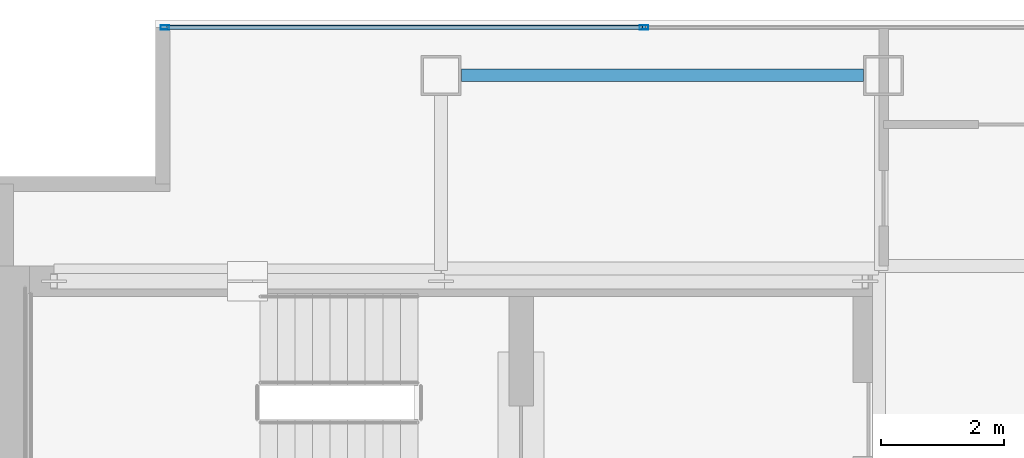
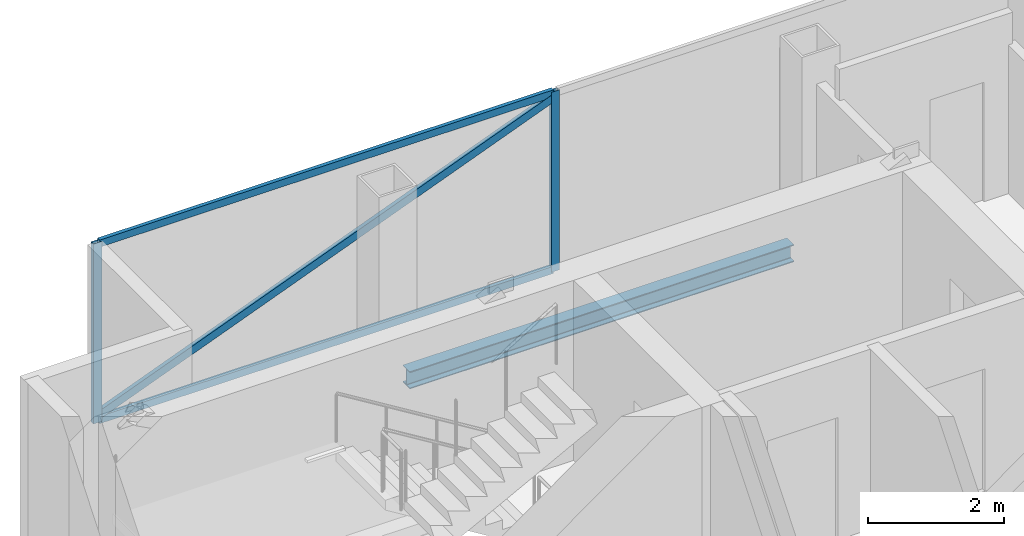
# One storey, part 17 of 23: 5 members, 1 beam, 1 element without a shape of its own.
"""IFC4 building model written with IfcOpenShell, lengths in metres."""

import ifcopenshell
import ifcopenshell.guid

model = None  # the IFC model being written
_history = None  # IfcOwnerHistory: only IFC2X3 demands one
_inside = {}  # id of a spatial element -> (the spatial element, [elements in it])
_under = {}  # id of a project, library or spatial element -> (it, [spatial elements below it])
_declared = {}  # id of a project -> (the project, [libraries it declares])
_typed = {}  # id of a type object -> (the type object, [elements of that type])
_made_of = {}  # id of a material, layer set ... -> (it, [elements and type objects made of it])


def new_model(schema):
    """Start an empty IFC model of exactly this schema.

    Asked for "IFC4X3", IfcOpenShell would pick the latest addendum, in which some entities
    have other attributes; the version numbers below select the first issue.
    IFC2X3 requires an IfcOwnerHistory on every rooted entity: one is made here for all.
    """
    global model, _history
    if schema == "IFC4X3":
        model = ifcopenshell.file(schema_version=(4, 3, 0, 0))
    else:
        model = ifcopenshell.file(schema=schema)
    _inside.clear()
    _under.clear()
    _declared.clear()
    _typed.clear()
    _made_of.clear()
    _history = None
    if model.schema == "IFC2X3":
        org = make("IfcOrganization", Name="unknown")
        user = make(
            "IfcPersonAndOrganization",
            ThePerson=make("IfcPerson", FamilyName="unknown"),
            TheOrganization=org,
        )
        app = make(
            "IfcApplication",
            ApplicationDeveloper=org,
            Version="unknown",
            ApplicationFullName="unknown",
            ApplicationIdentifier="unknown",
        )
        _history = make(
            "IfcOwnerHistory",
            OwningUser=user,
            OwningApplication=app,
            ChangeAction="ADDED",
            CreationDate=0,
        )
    return model


def make(cls, **values):
    """One entity of the class cls with the attributes given. An attribute that is None is left unset."""
    return model.create_entity(
        cls, **{name: value for name, value in values.items() if value is not None}
    )


def rooted(cls, **values):
    """An entity with a GlobalId (a new one), such as an element, a storey or a relation."""
    return make(cls, GlobalId=ifcopenshell.guid.new(), OwnerHistory=_history, **values)


def si_unit(unit_type, name, prefix=None):
    """IfcSIUnit, for example si_unit("LENGTHUNIT", "METRE", prefix="MILLI")."""
    return make("IfcSIUnit", UnitType=unit_type, Prefix=prefix, Name=name)


def assignment(units):
    """IfcUnitAssignment: the units of a project."""
    return None if units is None else make("IfcUnitAssignment", Units=units)


def point(xyz):
    """IfcCartesianPoint."""
    return None if xyz is None else make("IfcCartesianPoint", Coordinates=xyz)


def direction(xyz):
    """IfcDirection."""
    return None if xyz is None else make("IfcDirection", DirectionRatios=xyz)


def frame(location, z_axis=None, x_axis=None):
    """IfcAxis2Placement3D, a coordinate frame: its origin and axes. An axis left out is left unset."""
    return make(
        "IfcAxis2Placement3D",
        Location=point(location),
        Axis=direction(z_axis),
        RefDirection=direction(x_axis),
    )


def frame_2d(location, x_axis=None):
    """IfcAxis2Placement2D, a coordinate frame in the plane: its origin and x axis."""
    return make(
        "IfcAxis2Placement2D", Location=point(location), RefDirection=direction(x_axis)
    )


def origin():
    """The frame at (0, 0, 0) with its axes left unset."""
    return frame((0.0, 0.0, 0.0))


def origin_2d():
    """The frame at (0, 0) in the plane with its x axis left unset."""
    return frame_2d((0.0, 0.0))


def place(relative_to, where):
    """IfcLocalPlacement: puts the frame where relative to a parent placement (None: the world)."""
    return make(
        "IfcLocalPlacement", PlacementRelTo=relative_to, RelativePlacement=where
    )


def context(
    kind, dimensions, precision=None, world=None, true_north=None, identifier=None
):
    """IfcGeometricRepresentationContext, for example the 3D "Model" context."""
    return make(
        "IfcGeometricRepresentationContext",
        ContextIdentifier=identifier,
        ContextType=kind,
        CoordinateSpaceDimension=dimensions,
        Precision=precision,
        WorldCoordinateSystem=world,
        TrueNorth=true_north,
    )


def subcontext(parent, identifier, kind, view, scale=None):
    """IfcGeometricRepresentationSubContext, for example "Body" below "Model"."""
    return make(
        "IfcGeometricRepresentationSubContext",
        ContextIdentifier=identifier,
        ContextType=kind,
        ParentContext=parent,
        TargetScale=scale,
        TargetView=view,
    )


def project(units=None, contexts=None):
    """IfcProject with its units and contexts."""
    return rooted(
        "IfcProject",
        Name="project",
        RepresentationContexts=contexts,
        UnitsInContext=assignment(units),
    )


def spatial(cls, under=None, at=None, **own):
    """A site, building, storey or space (cls), placed at a placement, below another one or the project."""
    s = rooted(cls, ObjectPlacement=at, **own)
    if under is not None:
        _under.setdefault(under.id(), (under, []))[1].append(s)
    return s


def profile(cls, at=None, kind="AREA", **sizes):
    """A parametric profile (cls). Its sizes go by their IFC names, for example OverallWidth=200.0."""
    return make(cls, ProfileType=kind, Position=at, **sizes)


def hollow_rectangle(**sizes):
    """IfcRectangleHollowProfileDef."""
    return profile("IfcRectangleHollowProfileDef", **sizes)


def i_section(**sizes):
    """IfcIShapeProfileDef."""
    return profile("IfcIShapeProfileDef", **sizes)


def extrude(swept, where, along, depth):
    """IfcExtrudedAreaSolid: the profile swept, set in the frame where, extruded along a direction by depth."""
    return make(
        "IfcExtrudedAreaSolid",
        SweptArea=swept,
        Position=where,
        ExtrudedDirection=direction(along),
        Depth=depth,
    )


def shape(context_of_items, identifier, shape_type, items):
    """IfcShapeRepresentation: the items that make up one representation, for example the "Body"."""
    return make(
        "IfcShapeRepresentation",
        ContextOfItems=context_of_items,
        RepresentationIdentifier=identifier,
        RepresentationType=shape_type,
        Items=items,
    )


def material(Name=None, Category=None):
    """IfcMaterial."""
    return make("IfcMaterial", Name=Name, Category=Category)


def material_profile(
    of_material, cross_section, Name=None, Category=None, Priority=None
):
    """IfcMaterialProfile: a cross section and its material."""
    return make(
        "IfcMaterialProfile",
        Name=Name,
        Material=of_material,
        Profile=cross_section,
        Priority=Priority,
        Category=Category,
    )


def profile_set(profiles, Name=None, composite=None):
    """IfcMaterialProfileSet."""
    return make(
        "IfcMaterialProfileSet",
        Name=Name,
        MaterialProfiles=profiles,
        CompositeProfile=composite,
    )


def made_of(thing, what):
    """Note that an element or type object is made of a material, layer set ...; save() writes the relation."""
    if what is not None:
        _made_of.setdefault(what.id(), (what, []))[1].append(thing)
    return thing


def type_object(cls, material=None, **own):
    """A type object (cls), such as IfcWallType, which elements share."""
    return made_of(rooted(cls, **own), material)


def element(
    cls,
    number,
    at=None,
    inside=None,
    cuts=None,
    type_object=None,
    material=None,
    context=None,
    identifier="Body",
    shape_type=None,
    held_by="IfcProductDefinitionShape",
    body=None,
    shapes=None,
    **own,
):
    """One element of the class cls, such as IfcWall. Its Tag is "e" and its number.

    at: its placement. inside: the storey or other place that contains it. cuts: it is an
    opening in that element (IfcRelVoidsElement). A single representation is given by context,
    identifier, shape_type and body (its items); several are given by shapes. held_by: the class
    of the entity that holds the representations. save() writes the other relations.
    """
    e = rooted(cls, Tag="e%d" % number, ObjectPlacement=at, **own)
    if body is not None:
        shapes = [shape(context, identifier, shape_type, body)]
    if shapes is not None:
        e.Representation = make(held_by, Representations=shapes)
    if inside is not None:
        _inside.setdefault(inside.id(), (inside, []))[1].append(e)
    if cuts is not None:
        rooted(
            "IfcRelVoidsElement", RelatingBuildingElement=cuts, RelatedOpeningElement=e
        )
    if type_object is not None:
        _typed.setdefault(type_object.id(), (type_object, []))[1].append(e)
    return made_of(e, material)


def aggregate(whole, parts):
    """IfcRelAggregates: a whole, such as a stair, and the parts it consists of."""
    return rooted("IfcRelAggregates", RelatingObject=whole, RelatedObjects=parts)


def save(model, path):
    """Write the relations noted so far, then the file.

    IfcRelAggregates (storeys below a building ...), IfcRelContainedInSpatialStructure (elements
    in a storey), IfcRelDefinesByType, IfcRelAssociatesMaterial and IfcRelDeclares: one each for
    every whole, place, type object, material and project.
    """
    for whole, parts in _under.values():
        aggregate(whole, parts)
    for where, things in _inside.values():
        rooted(
            "IfcRelContainedInSpatialStructure",
            RelatedElements=things,
            RelatingStructure=where,
        )
    for kind, things in _typed.values():
        rooted("IfcRelDefinesByType", RelatedObjects=things, RelatingType=kind)
    for what, things in _made_of.values():
        rooted("IfcRelAssociatesMaterial", RelatedObjects=things, RelatingMaterial=what)
    for by, libraries in _declared.values():
        rooted("IfcRelDeclares", RelatingContext=by, RelatedDefinitions=libraries)
    model.write(path)


model = new_model("IFC4")

# Units and contexts
model_context = context("Model", 3, precision=1e-05, world=origin(), true_north=direction((0.0, 1.0)))
body_context = subcontext(model_context, "Body", "Model", "MODEL_VIEW")
ifc_project = project(units=[si_unit("LENGTHUNIT", "METRE"), si_unit("AREAUNIT", "SQUARE_METRE"), si_unit("VOLUMEUNIT", "CUBIC_METRE"), si_unit("PLANEANGLEUNIT", "RADIAN"), si_unit("MASSUNIT", "GRAM", prefix="KILO")], contexts=[model_context])

# Site, building, storey
site_placement = place(None, origin())
site = spatial("IfcSite", under=ifc_project, at=site_placement, CompositionType="ELEMENT")
building_placement = place(site_placement, origin())
building = spatial("IfcBuilding", under=site, at=building_placement, Name="Cobrela Telecom Tower", CompositionType="ELEMENT")
storey_placement = place(building_placement, frame((0.0, 0.0, 258.64990234375)))
storey = spatial("IfcBuildingStorey", under=building, at=storey_placement, Name="L67", CompositionType="ELEMENT", Elevation=258.64990234375)

# Beam
ifc_material_1 = material(Name="Steel ASTM A992 Grade 50", Category="steel")
ifc_material_profile_1 = material_profile(ifc_material_1, i_section(OverallWidth=0.205078125, OverallDepth=0.31005859375, WebThickness=0.009521484375, FlangeThickness=0.016357421875, FilletRadius=0.010986328125, at=origin_2d()), Name="W12X50")
ifc_profile_set_1 = profile_set([ifc_material_profile_1], Name="Steel ASTM A992 Grade 50")
beam_type = type_object("IfcBeamType", Name="BM-SPAND-07", PredefinedType="SPANDREL", material=ifc_profile_set_1)
beam_placement = place(storey_placement, frame((7.530029296875, 39.10009765625, -0.414794921875), z_axis=(1.0, 0.0, 0.0), x_axis=(0.0, 1.0, 0.0)))
element("IfcBeam", 1, at=beam_placement, inside=storey, type_object=beam_type, Name="L67 Perimeter Spandrel X19", PredefinedType="SPANDREL", context=body_context, shape_type="SweptSolid", body=[
    extrude(i_section(OverallWidth=0.205078125, OverallDepth=0.31005859375, WebThickness=0.009521484375, FlangeThickness=0.016357421875, FilletRadius=0.010986328125, at=origin_2d()), origin(), (0.0, 0.0, 1.0), 6.5400390625),
])

# Curtain wall, members
ifc_material_2 = material(Name="Anodized Bronze Aluminium 6063-T6", Category="aluminium")
curtain_wall_type = type_object("IfcCurtainWallType", Name="CW-SYS-OFF-HI", PredefinedType="USERDEFINED", material=ifc_material_2)
curtain_wall_placement = place(storey_placement, origin())
curtain_wall = element("IfcCurtainWall", 2, at=curtain_wall_placement, inside=storey, type_object=curtain_wall_type, Name="L67 Unitised Bronze Curtain Wall 05", ObjectType="UNITISED CURTAIN WALL", PredefinedType="USERDEFINED")
ifc_material_profile_2 = material_profile(ifc_material_2, hollow_rectangle(XDim=0.070068359375, YDim=0.139892578125, WallThickness=0.00390625, at=origin_2d()), Name="ALU 70x140x4")
ifc_profile_set_2 = profile_set([ifc_material_profile_2], Name="Anodized Bronze Aluminium 6063-T6")
member_type_1 = type_object("IfcMemberType", Name="CW-SYS-OFF-HI-MUL", PredefinedType="MULLION", material=ifc_profile_set_2)
member_1_placement = place(storey_placement, frame((2.705078125, 39.8798828125, 0.0), z_axis=(0.0, 0.0, 1.0), x_axis=(0.0, 1.0, 0.0)))
member_1 = element("IfcMember", 3, at=member_1_placement, type_object=member_type_1, Name="CW-OFF-HI mullion 1", PredefinedType="MULLION", context=body_context, shape_type="SweptSolid", body=[
    extrude(hollow_rectangle(XDim=0.070068359375, YDim=0.139892578125, WallThickness=0.00390625, at=origin_2d()), origin(), (0.0, 0.0, 1.0), 3.239990234375),
])
member_2_placement = place(storey_placement, frame((10.5, 39.8798828125, 0.0), z_axis=(0.0, 0.0, 1.0), x_axis=(0.0, 1.0, 0.0)))
member_2 = element("IfcMember", 4, at=member_2_placement, type_object=member_type_1, Name="CW-OFF-HI mullion 2", PredefinedType="MULLION", context=body_context, shape_type="SweptSolid", body=[
    extrude(hollow_rectangle(XDim=0.070068359375, YDim=0.139892578125, WallThickness=0.00390625, at=origin_2d()), origin(), (0.0, 0.0, 1.0), 3.239990234375),
])
member_3_placement = place(storey_placement, frame((2.669921875, 39.8798828125, 0.10009765625), z_axis=(0.932205263341, 0.0, 0.361930030529), x_axis=(0.0, 1.0, 0.0)))
member_3 = element("IfcMember", 5, at=member_3_placement, type_object=member_type_1, Name="L67 Faceted Curtain Wall Diagonal Glazing Mullion", PredefinedType="MULLION", context=body_context, shape_type="SweptSolid", body=[
    extrude(hollow_rectangle(XDim=0.070068359375, YDim=0.139892578125, WallThickness=0.00390625, at=origin_2d()), origin(), (0.0, 0.0, 1.0), 8.3994140625),
])
ifc_material_profile_3 = material_profile(ifc_material_2, hollow_rectangle(XDim=0.06494140625, YDim=0.1298828125, WallThickness=0.00390625, at=origin_2d()), Name="ALU 65x130x4")
ifc_profile_set_3 = profile_set([ifc_material_profile_3], Name="Anodized Bronze Aluminium 6063-T6")
member_type_2 = type_object("IfcMemberType", Name="CW-SYS-OFF-HI-TRN", PredefinedType="USERDEFINED", material=ifc_profile_set_3)
member_4_placement = place(storey_placement, frame((2.739990234375, 39.8798828125, 0.03271484375), z_axis=(1.0, 0.0, 0.0), x_axis=(0.0, 1.0, 0.0)))
member_4 = element("IfcMember", 6, at=member_4_placement, type_object=member_type_2, Name="CW-OFF-HI transom 1.1", ObjectType="TRANSOM", PredefinedType="USERDEFINED", context=body_context, shape_type="SweptSolid", body=[
    extrude(hollow_rectangle(XDim=0.06494140625, YDim=0.1298828125, WallThickness=0.00390625, at=origin_2d()), origin(), (0.0, 0.0, 1.0), 7.72509765625),
])
member_5_placement = place(storey_placement, frame((2.739990234375, 39.8798828125, 3.20751953125), z_axis=(1.0, 0.0, 0.0), x_axis=(0.0, 1.0, 0.0)))
member_5 = element("IfcMember", 7, at=member_5_placement, type_object=member_type_2, Name="CW-OFF-HI transom 1.2", ObjectType="TRANSOM", PredefinedType="USERDEFINED", context=body_context, shape_type="SweptSolid", body=[
    extrude(hollow_rectangle(XDim=0.06494140625, YDim=0.1298828125, WallThickness=0.00390625, at=origin_2d()), origin(), (0.0, 0.0, 1.0), 7.72509765625),
])
aggregate(curtain_wall, [member_1, member_2, member_4, member_5, member_3])

save(model, "model.ifc")
